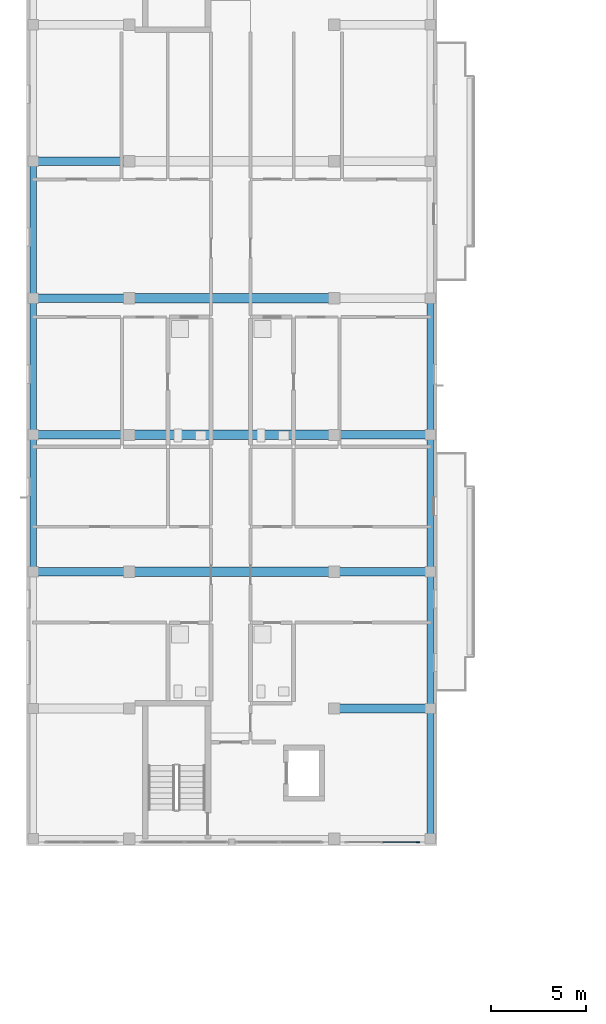
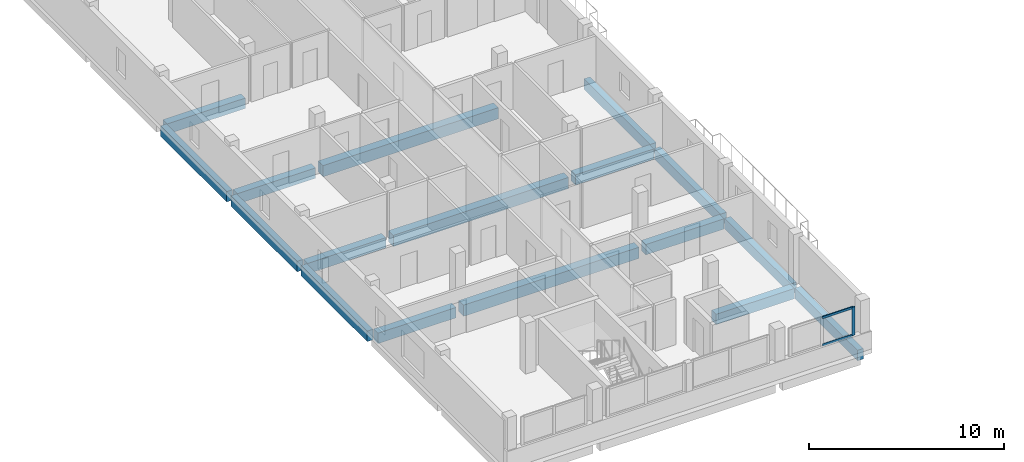
# One storey, part 5 of 41: 17 beams, 3 members, 1 element without a shape of its own.
"""IFC4 building model written with IfcOpenShell, lengths in metres."""

from ifc_helpers import new_model, si_unit, derived_unit, direction, frame, origin, origin_2d, place, context, subcontext, project, spatial, rectangle, extrude, material, layer, layer_set, material_profile, profile_set, type_object, element, aggregate, save


model = new_model("IFC4")

# Units and contexts
model_context = context("Model", 3, precision=1e-05, world=origin(), true_north=direction((0.0, 1.0)))
body_context = subcontext(model_context, "Body", "Model", "MODEL_VIEW")
ifc_project = project(units=[si_unit("LENGTHUNIT", "METRE"), si_unit("AREAUNIT", "SQUARE_METRE"), si_unit("VOLUMEUNIT", "CUBIC_METRE"), si_unit("PLANEANGLEUNIT", "RADIAN"), si_unit("MASSUNIT", "GRAM", prefix="KILO"), derived_unit("THERMALTRANSMITTANCEUNIT", [(si_unit("MASSUNIT", "GRAM", prefix="KILO"), 1), (si_unit("TIMEUNIT", "SECOND"), -3), (si_unit("THERMODYNAMICTEMPERATUREUNIT", "KELVIN"), -1)])], contexts=[model_context])

# Site, building, storey
site_placement = place(None, origin())
site = spatial("IfcSite", under=ifc_project, at=site_placement, CompositionType="ELEMENT")
building_placement = place(site_placement, origin())
building = spatial("IfcBuilding", under=site, at=building_placement, Name="Ochrekiln Boulevard Commons", CompositionType="ELEMENT")
storey_placement = place(building_placement, frame((0.0, 0.0, 21.52490234375)))
storey = spatial("IfcBuildingStorey", under=building, at=storey_placement, Name="L06", CompositionType="ELEMENT", Elevation=21.52490234375)

# Beams
ifc_material_1 = material(Name="Concrete C35/45", Category="concrete")
ifc_material_profile_1 = material_profile(ifc_material_1, rectangle(XDim=0.449951171875, YDim=0.64990234375, at=origin_2d()), Name="RC-BM-450x650")
ifc_profile_set_1 = profile_set([ifc_material_profile_1], Name="Concrete C35/45")
beam_type_1 = type_object("IfcBeamType", Name="BM-RC-450x650", PredefinedType="BEAM", material=ifc_profile_set_1)
beam_1_placement = place(storey_placement, frame((16.409912109375, 75.60009765625, -0.5849609375), z_axis=(1.0, 0.0, 0.0), x_axis=(0.0, 1.0, 0.0)))
element("IfcBeam", 1, at=beam_1_placement, inside=storey, type_object=beam_type_1, Name="Block A L06 Beam B-4565 X5", PredefinedType="BEAM", context=body_context, shape_type="SweptSolid", body=[
    extrude(rectangle(XDim=0.449951171875, YDim=0.64990234375, at=origin_2d()), origin(), (0.0, 0.0, 1.0), 4.630126953125),
])
beam_2_placement = place(storey_placement, frame((0.56005859375, 82.800048828125, -0.5849609375), z_axis=(1.0, 0.0, 0.0), x_axis=(0.0, 1.0, 0.0)))
element("IfcBeam", 2, at=beam_2_placement, inside=storey, type_object=beam_type_1, Name="Block A L06 Beam B-4565 X6", PredefinedType="BEAM", context=body_context, shape_type="SweptSolid", body=[
    extrude(rectangle(XDim=0.449951171875, YDim=0.64990234375, at=origin_2d()), origin(), (0.0, 0.0, 1.0), 4.6298828125),
])
beam_3_placement = place(storey_placement, frame((16.409912109375, 82.800048828125, -0.5849609375), z_axis=(1.0, 0.0, 0.0), x_axis=(0.0, 1.0, 0.0)))
element("IfcBeam", 3, at=beam_3_placement, inside=storey, type_object=beam_type_1, Name="Block A L06 Beam B-4565 X8", PredefinedType="BEAM", context=body_context, shape_type="SweptSolid", body=[
    extrude(rectangle(XDim=0.449951171875, YDim=0.64990234375, at=origin_2d()), origin(), (0.0, 0.0, 1.0), 4.630126953125),
])
beam_4_placement = place(storey_placement, frame((0.56005859375, 90.0, -0.5849609375), z_axis=(1.0, 0.0, 0.0), x_axis=(0.0, 1.0, 0.0)))
element("IfcBeam", 4, at=beam_4_placement, inside=storey, type_object=beam_type_1, Name="Block A L06 Beam B-4565 X9", PredefinedType="BEAM", context=body_context, shape_type="SweptSolid", body=[
    extrude(rectangle(XDim=0.449951171875, YDim=0.64990234375, at=origin_2d()), origin(), (0.0, 0.0, 1.0), 4.6298828125),
])
beam_5_placement = place(storey_placement, frame((16.409912109375, 90.0, -0.5849609375), z_axis=(1.0, 0.0, 0.0), x_axis=(0.0, 1.0, 0.0)))
element("IfcBeam", 5, at=beam_5_placement, inside=storey, type_object=beam_type_1, Name="Block A L06 Beam B-4565 X11", PredefinedType="BEAM", context=body_context, shape_type="SweptSolid", body=[
    extrude(rectangle(XDim=0.449951171875, YDim=0.64990234375, at=origin_2d()), origin(), (0.0, 0.0, 1.0), 4.630126953125),
])
for number, where, z_axis, x_axis, name in (
    (6, (0.56005859375, 97.199951171875, -0.5849609375), (1.0, 0.0, 0.0), (0.0, 1.0, 0.0), "Block A L06 Beam B-4565 X12"),
    (7, (0.56005859375, 104.39990234375, -0.5849609375), (1.0, 0.0, 0.0), (0.0, 1.0, 0.0), "Block A L06 Beam B-4565 X15"),
):
    element("IfcBeam", number, at=place(storey_placement, frame(where, z_axis=z_axis, x_axis=x_axis)), inside=storey, type_object=beam_type_1, Name=name, PredefinedType="BEAM", context=body_context, shape_type="SweptSolid", body=[
        extrude(rectangle(XDim=0.449951171875, YDim=0.64990234375, at=origin_2d()), origin(), (0.0, 0.0, 1.0), 4.6298828125),
    ])
ifc_material_2 = material(Name="Concrete C40/50", Category="concrete")
ifc_material_profile_2 = material_profile(ifc_material_2, rectangle(XDim=0.5, YDim=0.699951171875, at=origin_2d()), Name="RC-BM-500x700")
ifc_profile_set_2 = profile_set([ifc_material_profile_2], Name="Concrete C40/50")
beam_type_2 = type_object("IfcBeamType", Name="BM-RC-500x700", PredefinedType="BEAM", material=ifc_profile_set_2)
for number, where, z_axis, x_axis, name in (
    (8, (5.610107421875, 82.800048828125, -0.60986328125), (1.0, 0.0, 0.0), (0.0, 1.0, 0.0), "Block A L06 Beam B-5070 X7"),
    (9, (5.610107421875, 90.0, -0.60986328125), (1.0, 0.0, 0.0), (0.0, 1.0, 0.0), "Block A L06 Beam B-5070 X10"),
    (10, (5.610107421875, 97.199951171875, -0.60986328125), (1.0, 0.0, 0.0), (0.0, 1.0, 0.0), "Block A L06 Beam B-5070 X13"),
):
    element("IfcBeam", number, at=place(storey_placement, frame(where, z_axis=z_axis, x_axis=x_axis)), inside=storey, type_object=beam_type_2, Name=name, PredefinedType="BEAM", context=body_context, shape_type="SweptSolid", body=[
        extrude(rectangle(XDim=0.5, YDim=0.699951171875, at=origin_2d()), origin(), (0.0, 0.0, 1.0), 10.3798828125),
    ])

# Curtain wall, members
ifc_material_3 = material(Name="Bronze-anodized extruded aluminium 6063-T6", Category="aluminium")
ifc_layer = layer(ifc_material_3, 0.172119140625)
ifc_layer_set = layer_set([ifc_layer], Name="Bronze-anodized extruded aluminium 6063-T6")
curtain_wall_type = type_object("IfcCurtainWallType", Name="CW-GABLE-A", PredefinedType="USERDEFINED", material=ifc_layer_set)
curtain_wall_placement = place(storey_placement, origin())
curtain_wall = element("IfcCurtainWall", 11, at=curtain_wall_placement, inside=storey, type_object=curtain_wall_type, Name="Block A L06 Courtyard Glazed Gable Curtain Wall 4", ObjectType="GLAZED CURTAIN WALL", PredefinedType="USERDEFINED")
ifc_material_profile_3 = material_profile(ifc_material_3, rectangle(XDim=0.06494140625, YDim=0.179931640625, at=origin_2d()), Name="ALU-MUL-65x180")
ifc_profile_set_3 = profile_set([ifc_material_profile_3], Name="Bronze-anodized extruded aluminium 6063-T6")
member_type_1 = type_object("IfcMemberType", Name="CWM-65x180", PredefinedType="MULLION", material=ifc_profile_set_3)
member_1_placement = place(storey_placement, frame((20.597412109375, 68.56005859375, 1.110107421875), z_axis=(0.0, 0.0, 1.0), x_axis=(0.0, 1.0, 0.0)))
member_1 = element("IfcMember", 12, at=member_1_placement, type_object=member_type_1, Name="CW-01 mullion 3", PredefinedType="MULLION", context=body_context, shape_type="SweptSolid", body=[
    extrude(rectangle(XDim=0.06494140625, YDim=0.179931640625, at=origin_2d()), origin(), (0.0, 0.0, 1.0), 1.780029296875),
])
ifc_material_profile_4 = material_profile(ifc_material_3, rectangle(XDim=0.06494140625, YDim=0.139892578125, at=origin_2d()), Name="ALU-TRN-65x140")
ifc_profile_set_4 = profile_set([ifc_material_profile_4], Name="Bronze-anodized extruded aluminium 6063-T6")
member_type_2 = type_object("IfcMemberType", Name="CWT-65x140", PredefinedType="USERDEFINED", material=ifc_profile_set_4)
member_2_placement = place(storey_placement, frame((18.757568359375, 68.56005859375, 1.142578125), z_axis=(1.0, 0.0, 0.0), x_axis=(0.0, 1.0, 0.0)))
member_2 = element("IfcMember", 13, at=member_2_placement, type_object=member_type_2, Name="CW-01 transom 2.1", ObjectType="TRANSOM", PredefinedType="USERDEFINED", context=body_context, shape_type="SweptSolid", body=[
    extrude(rectangle(XDim=0.06494140625, YDim=0.139892578125, at=origin_2d()), origin(), (0.0, 0.0, 1.0), 1.807373046875),
])
member_3_placement = place(storey_placement, frame((18.757568359375, 68.56005859375, 2.857666015625), z_axis=(1.0, 0.0, 0.0), x_axis=(0.0, 1.0, 0.0)))
member_3 = element("IfcMember", 14, at=member_3_placement, type_object=member_type_2, Name="CW-01 transom 2.2", ObjectType="TRANSOM", PredefinedType="USERDEFINED", context=body_context, shape_type="SweptSolid", body=[
    extrude(rectangle(XDim=0.06494140625, YDim=0.139892578125, at=origin_2d()), origin(), (0.0, 0.0, 1.0), 1.807373046875),
])
aggregate(curtain_wall, [member_1, member_2, member_3])

# Beams
ifc_material_profile_5 = material_profile(ifc_material_2, rectangle(XDim=0.35009765625, YDim=0.64990234375, at=origin_2d()), Name="RC-SPN-350x650")
ifc_profile_set_5 = profile_set([ifc_material_profile_5], Name="Concrete C40/50")
beam_type_3 = type_object("IfcBeamType", Name="SPN-RC-350x650", PredefinedType="SPANDREL", material=ifc_profile_set_5)
for number, where, z_axis, x_axis, name in (
    (15, (0.35009765625, 83.010009765625, -0.5849609375), (0.0, 1.0, 0.0), (-1.0, 0.0, 0.0), "Block A L06 Beam SP-3565 Y25"),
    (16, (0.35009765625, 90.2099609375, -0.5849609375), (0.0, 1.0, 0.0), (-1.0, 0.0, 0.0), "Block A L06 Beam SP-3565 Y26"),
    (17, (0.35009765625, 97.409912109375, -0.5849609375), (0.0, 1.0, 0.0), (-1.0, 0.0, 0.0), "Block A L06 Beam SP-3565 Y27"),
):
    element("IfcBeam", number, at=place(storey_placement, frame(where, z_axis=z_axis, x_axis=x_axis)), inside=storey, type_object=beam_type_3, Name=name, PredefinedType="SPANDREL", context=body_context, shape_type="SweptSolid", body=[
        extrude(rectangle(XDim=0.35009765625, YDim=0.64990234375, at=origin_2d()), origin(), (0.0, 0.0, 1.0), 6.780029296875),
    ])
beam_6_placement = place(storey_placement, frame((21.25, 68.9599609375, -0.5849609375), z_axis=(0.0, 1.0, 0.0), x_axis=(-1.0, 0.0, 0.0)))
element("IfcBeam", 18, at=beam_6_placement, inside=storey, type_object=beam_type_3, Name="Block A L06 Beam SP-3565 Y30", PredefinedType="SPANDREL", context=body_context, shape_type="SweptSolid", body=[
    extrude(rectangle(XDim=0.35009765625, YDim=0.64990234375, at=origin_2d()), origin(), (0.0, 0.0, 1.0), 6.429931640625),
])
for number, where, z_axis, x_axis, name in (
    (19, (21.25, 75.81005859375, -0.5849609375), (0.0, 1.0, 0.0), (-1.0, 0.0, 0.0), "Block A L06 Beam SP-3565 Y31"),
    (20, (21.25, 83.010009765625, -0.5849609375), (0.0, 1.0, 0.0), (-1.0, 0.0, 0.0), "Block A L06 Beam SP-3565 Y32"),
    (21, (21.25, 90.2099609375, -0.5849609375), (0.0, 1.0, 0.0), (-1.0, 0.0, 0.0), "Block A L06 Beam SP-3565 Y33"),
):
    element("IfcBeam", number, at=place(storey_placement, frame(where, z_axis=z_axis, x_axis=x_axis)), inside=storey, type_object=beam_type_3, Name=name, PredefinedType="SPANDREL", context=body_context, shape_type="SweptSolid", body=[
        extrude(rectangle(XDim=0.35009765625, YDim=0.64990234375, at=origin_2d()), origin(), (0.0, 0.0, 1.0), 6.780029296875),
    ])

save(model, "model.ifc")
